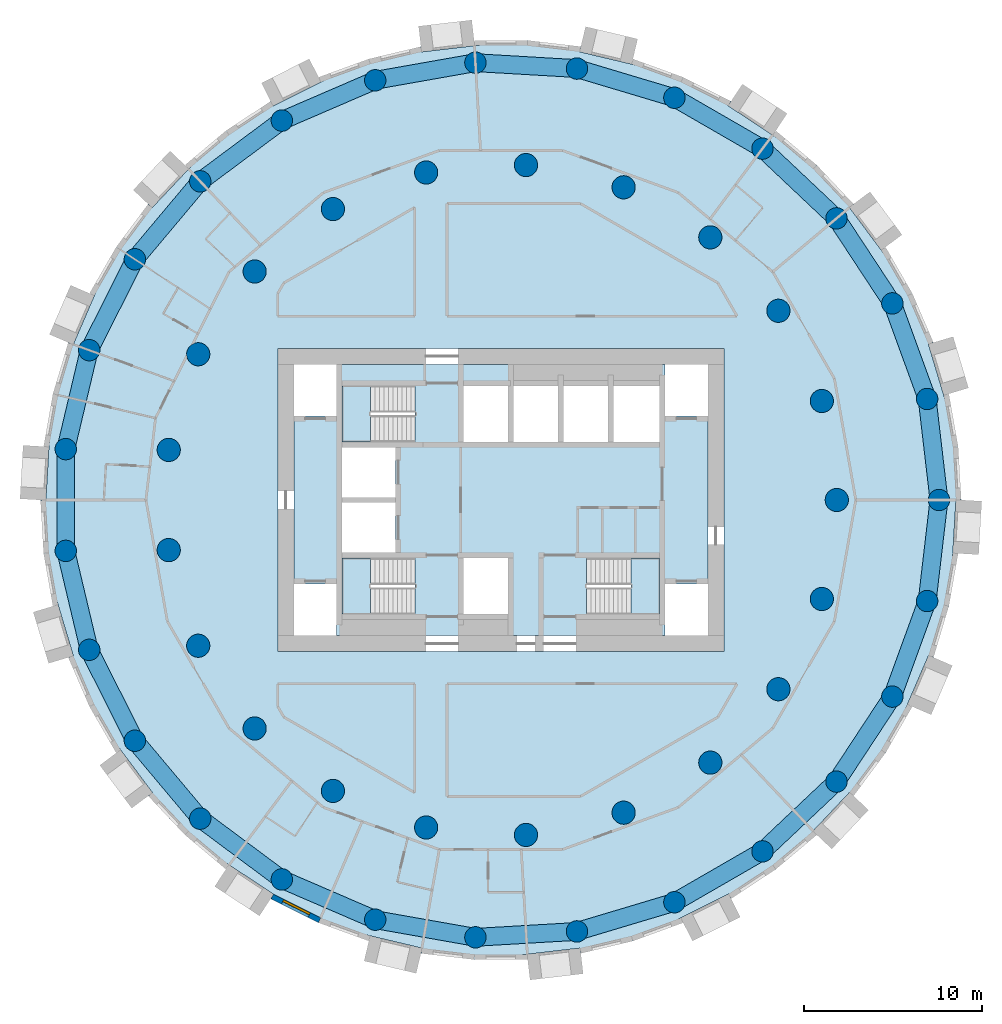
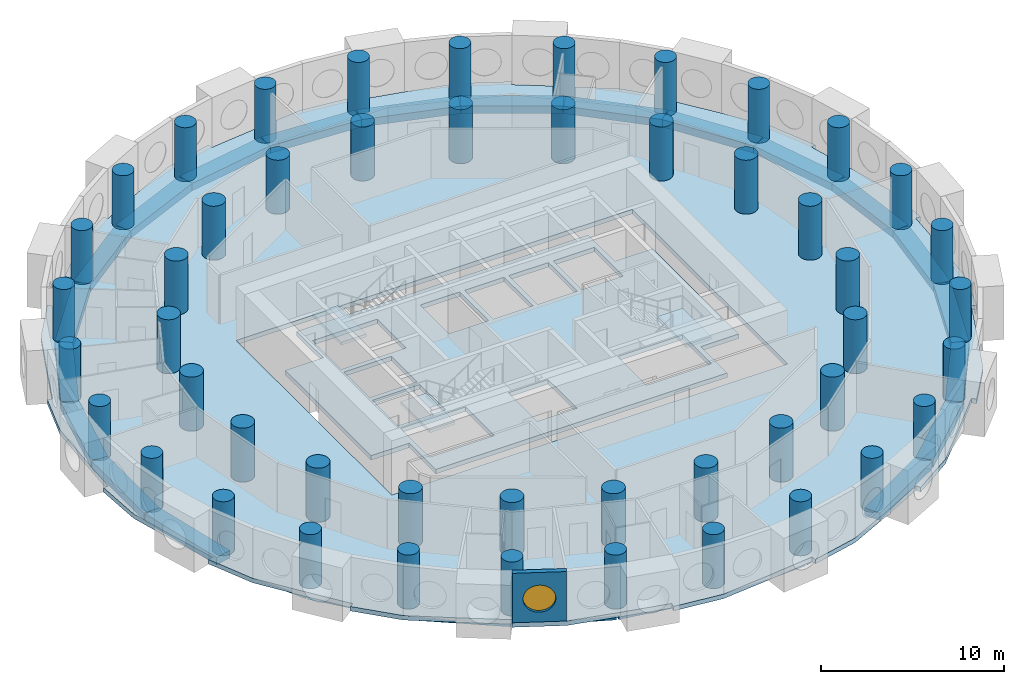
# One storey, part 1 of 9: 48 columns, 27 beams, 5 slabs, 1 wall, 1 window, 1 opening, 3 elements without a shape of their own.
"""IFC4 building model written with IfcOpenShell, lengths in metres."""

from ifc_helpers import new_model, si_unit, direction, frame, frame_2d, origin, origin_2d, place, context, subcontext, project, spatial, polyline, rectangle, circle, outline, extrude, material, layer, layer_set, material_profile, profile_set, type_object, element, fill, aggregate, save


model = new_model("IFC4")

# Units and contexts
model_context = context("Model", 3, precision=1e-05, world=origin(), true_north=direction((0.0, 1.0)))
body_context = subcontext(model_context, "Body", "Model", "MODEL_VIEW")
ifc_project = project(units=[si_unit("LENGTHUNIT", "METRE"), si_unit("AREAUNIT", "SQUARE_METRE"), si_unit("VOLUMEUNIT", "CUBIC_METRE"), si_unit("PLANEANGLEUNIT", "RADIAN"), si_unit("MASSUNIT", "GRAM", prefix="KILO")], contexts=[model_context])

# Site, building, storey
site_placement = place(None, origin())
site = spatial("IfcSite", under=ifc_project, at=site_placement, CompositionType="ELEMENT")
building_placement = place(site_placement, origin())
building = spatial("IfcBuilding", under=site, at=building_placement, Name="Tracery Tower", CompositionType="ELEMENT")
storey_placement = place(building_placement, frame((0.0, 0.0, 183.60009765625)))
storey = spatial("IfcBuildingStorey", under=building, at=storey_placement, Name="L47", CompositionType="ELEMENT", Elevation=183.60009765625)

# Columns
ifc_material_1 = material(Name="Concrete C50/60", Category="concrete")
ifc_material_profile_1 = material_profile(ifc_material_1, circle(Radius=0.60009765625, at=origin_2d()), Name="RC D1200")
ifc_profile_set_1 = profile_set([ifc_material_profile_1], Name="Concrete C50/60")
column_type_1 = type_object("IfcColumnType", Name="Ring 1 column 1200", PredefinedType="COLUMN", material=ifc_profile_set_1)
for number, where, z_axis, x_axis, name in (
    (1, (24.547607421875, 0.0, 0.0), (0.0, 0.0, 1.0), (1.0, 0.0, 0.0), "Ring 1 column 00 at L47"),
    (2, (23.885986328125, 5.6611328125, 0.0), (0.0, 0.0, 1.0), (1.0, 0.0, 0.0), "Ring 1 column 01 at L47"),
    (3, (21.9365234375, 11.01708984375, 0.0), (0.0, 0.0, 1.0), (1.0, 0.0, 0.0), "Ring 1 column 02 at L47"),
    (4, (18.8046875, 15.779052734375, 0.0), (0.0, 0.0, 1.0), (1.0, 0.0, 0.0), "Ring 1 column 03 at L47"),
    (5, (14.658935546875, 19.690185546875, 0.0), (0.0, 0.0, 1.0), (1.0, 0.0, 0.0), "Ring 1 column 04 at L47"),
    (6, (9.722900390625, 22.5400390625, 0.0), (0.0, 0.0, 1.0), (1.0, 0.0, 0.0), "Ring 1 column 05 at L47"),
    (7, (4.2626953125, 24.1748046875, 0.0), (0.0, 0.0, 1.0), (1.0, 0.0, 0.0), "Ring 1 column 06 at L47"),
    (8, (-1.42724609375, 24.506103515625, 0.0), (0.0, 0.0, 1.0), (1.0, 0.0, 0.0), "Ring 1 column 07 at L47"),
    (9, (-7.040283203125, 23.516357421875, 0.0), (0.0, 0.0, 1.0), (1.0, 0.0, 0.0), "Ring 1 column 08 at L47"),
    (10, (-12.273681640625, 21.2587890625, 0.0), (0.0, 0.0, 1.0), (1.0, 0.0, 0.0), "Ring 1 column 09 at L47"),
    (11, (-16.845703125, 17.855224609375, 0.0), (0.0, 0.0, 1.0), (1.0, 0.0, 0.0), "Ring 1 column 10 at L47"),
    (12, (-20.50927734375, 13.4892578125, 0.0), (0.0, 0.0, 1.0), (1.0, 0.0, 0.0), "Ring 1 column 11 at L47"),
    (13, (-23.0673828125, 8.395751953125, 0.0), (0.0, 0.0, 1.0), (1.0, 0.0, 0.0), "Ring 1 column 12 at L47"),
    (14, (-24.381591796875, 2.849853515625, 0.0), (0.0, 0.0, 1.0), (1.0, 0.0, 0.0), "Ring 1 column 13 at L47"),
    (15, (-24.381591796875, -2.849853515625, 0.0), (0.0, 0.0, 1.0), (1.0, 0.0, 0.0), "Ring 1 column 14 at L47"),
    (16, (-23.0673828125, -8.395751953125, 0.0), (0.0, 0.0, 1.0), (1.0, 0.0, 0.0), "Ring 1 column 15 at L47"),
    (17, (-20.50927734375, -13.4892578125, 0.0), (0.0, 0.0, 1.0), (1.0, 0.0, 0.0), "Ring 1 column 16 at L47"),
    (18, (-16.845703125, -17.85546875, 0.0), (0.0, 0.0, 1.0), (1.0, 0.0, 0.0), "Ring 1 column 17 at L47"),
    (19, (-12.27392578125, -21.2587890625, 0.0), (0.0, 0.0, 1.0), (1.0, 0.0, 0.0), "Ring 1 column 18 at L47"),
    (20, (-7.040283203125, -23.516357421875, 0.0), (0.0, 0.0, 1.0), (1.0, 0.0, 0.0), "Ring 1 column 19 at L47"),
    (21, (-1.42724609375, -24.506103515625, 0.0), (0.0, 0.0, 1.0), (1.0, 0.0, 0.0), "Ring 1 column 20 at L47"),
    (22, (4.2626953125, -24.1748046875, 0.0), (0.0, 0.0, 1.0), (1.0, 0.0, 0.0), "Ring 1 column 21 at L47"),
    (23, (9.722900390625, -22.5400390625, 0.0), (0.0, 0.0, 1.0), (1.0, 0.0, 0.0), "Ring 1 column 22 at L47"),
    (24, (14.658935546875, -19.690185546875, 0.0), (0.0, 0.0, 1.0), (1.0, 0.0, 0.0), "Ring 1 column 23 at L47"),
    (25, (18.8046875, -15.779052734375, 0.0), (0.0, 0.0, 1.0), (1.0, 0.0, 0.0), "Ring 1 column 24 at L47"),
    (26, (21.9365234375, -11.01708984375, 0.0), (0.0, 0.0, 1.0), (1.0, 0.0, 0.0), "Ring 1 column 25 at L47"),
    (27, (23.885986328125, -5.6611328125, 0.0), (0.0, 0.0, 1.0), (1.0, 0.0, 0.0), "Ring 1 column 26 at L47"),
):
    element("IfcColumn", number, at=place(storey_placement, frame(where, z_axis=z_axis, x_axis=x_axis)), inside=storey, type_object=column_type_1, Name=name, PredefinedType="COLUMN", context=body_context, shape_type="SweptSolid", body=[
        extrude(circle(Radius=0.60009765625, at=origin_2d()), origin(), (0.0, 0.0, 1.0), 3.599853515625),
    ])
ifc_material_2 = material(Name="Concrete C50/60", Category="concrete")
ifc_material_profile_2 = material_profile(ifc_material_2, circle(Radius=0.64990234375, at=origin_2d()), Name="RC D1300")
ifc_profile_set_2 = profile_set([ifc_material_profile_2], Name="Concrete C50/60")
column_type_2 = type_object("IfcColumnType", Name="Ring 2 column 1300", PredefinedType="COLUMN", material=ifc_profile_set_2)
for number, where, z_axis, x_axis, name in (
    (28, (18.822265625, 0.0, 0.0), (0.0, 0.0, 1.0), (1.0, 0.0, 0.0), "Ring 2 column 00 at L47"),
    (29, (17.986083984375, 5.5478515625, 0.0), (0.0, 0.0, 1.0), (1.0, 0.0, 0.0), "Ring 2 column 01 at L47"),
    (30, (15.551513671875, 10.602783203125, 0.0), (0.0, 0.0, 1.0), (1.0, 0.0, 0.0), "Ring 2 column 02 at L47"),
    (31, (11.7353515625, 14.7158203125, 0.0), (0.0, 0.0, 1.0), (1.0, 0.0, 0.0), "Ring 2 column 03 at L47"),
    (32, (6.87646484375, 17.52099609375, 0.0), (0.0, 0.0, 1.0), (1.0, 0.0, 0.0), "Ring 2 column 04 at L47"),
    (33, (1.406494140625, 18.76953125, 0.0), (0.0, 0.0, 1.0), (1.0, 0.0, 0.0), "Ring 2 column 05 at L47"),
    (34, (-4.188232421875, 18.350341796875, 0.0), (0.0, 0.0, 1.0), (1.0, 0.0, 0.0), "Ring 2 column 06 at L47"),
    (35, (-9.4111328125, 16.300537109375, 0.0), (0.0, 0.0, 1.0), (1.0, 0.0, 0.0), "Ring 2 column 07 at L47"),
    (36, (-13.797607421875, 12.802490234375, 0.0), (0.0, 0.0, 1.0), (1.0, 0.0, 0.0), "Ring 2 column 08 at L47"),
    (37, (-16.958251953125, 8.16650390625, 0.0), (0.0, 0.0, 1.0), (1.0, 0.0, 0.0), "Ring 2 column 09 at L47"),
    (38, (-18.612060546875, 2.805419921875, 0.0), (0.0, 0.0, 1.0), (1.0, 0.0, 0.0), "Ring 2 column 10 at L47"),
    (39, (-18.612060546875, -2.805419921875, 0.0), (0.0, 0.0, 1.0), (1.0, 0.0, 0.0), "Ring 2 column 11 at L47"),
    (40, (-16.958251953125, -8.166748046875, 0.0), (0.0, 0.0, 1.0), (1.0, 0.0, 0.0), "Ring 2 column 12 at L47"),
    (41, (-13.797607421875, -12.80224609375, 0.0), (0.0, 0.0, 1.0), (1.0, 0.0, 0.0), "Ring 2 column 13 at L47"),
    (42, (-9.4111328125, -16.300537109375, 0.0), (0.0, 0.0, 1.0), (1.0, 0.0, 0.0), "Ring 2 column 14 at L47"),
    (43, (-4.188232421875, -18.350341796875, 0.0), (0.0, 0.0, 1.0), (1.0, 0.0, 0.0), "Ring 2 column 15 at L47"),
    (44, (1.406494140625, -18.76953125, 0.0), (0.0, 0.0, 1.0), (1.0, 0.0, 0.0), "Ring 2 column 16 at L47"),
    (45, (6.87646484375, -17.52099609375, 0.0), (0.0, 0.0, 1.0), (1.0, 0.0, 0.0), "Ring 2 column 17 at L47"),
    (46, (11.7353515625, -14.7158203125, 0.0), (0.0, 0.0, 1.0), (1.0, 0.0, 0.0), "Ring 2 column 18 at L47"),
    (47, (15.551513671875, -10.602783203125, 0.0), (0.0, 0.0, 1.0), (1.0, 0.0, 0.0), "Ring 2 column 19 at L47"),
    (48, (17.986083984375, -5.5478515625, 0.0), (0.0, 0.0, 1.0), (1.0, 0.0, 0.0), "Ring 2 column 20 at L47"),
):
    element("IfcColumn", number, at=place(storey_placement, frame(where, z_axis=z_axis, x_axis=x_axis)), inside=storey, type_object=column_type_2, Name=name, PredefinedType="COLUMN", context=body_context, shape_type="SweptSolid", body=[
        extrude(circle(Radius=0.64990234375, at=origin_2d()), origin(), (0.0, 0.0, 1.0), 3.599853515625),
    ])

# Beams
ifc_material_3 = material(Name="Concrete C50/60", Category="concrete")
ifc_material_profile_3 = material_profile(ifc_material_3, rectangle(XDim=1.0, YDim=0.5, at=origin_2d()), Name="RC 1000x500")
ifc_profile_set_3 = profile_set([ifc_material_profile_3], Name="Concrete C50/60")
beam_type = type_object("IfcBeamType", Name="Perimeter band beam 1000x500", PredefinedType="BEAM", material=ifc_profile_set_3)
for number, where, z_axis, x_axis, name in (
    (49, (24.547607421875, 0.0, -0.550048828125), (-0.116080723252, 0.993239782575, 0.0), (-0.993239782575, -0.116080723252, 0.0), "Perimeter beam 1.00 under L47"),
    (50, (23.885986328125, 5.6611328125, -0.550048828125), (-0.342028502279, 0.939689578334, 0.0), (-0.939689578334, -0.342028502279, 0.0), "Perimeter beam 1.01 under L47"),
):
    element("IfcBeam", number, at=place(storey_placement, frame(where, z_axis=z_axis, x_axis=x_axis)), inside=storey, type_object=beam_type, Name=name, PredefinedType="BEAM", context=body_context, shape_type="SweptSolid", body=[
        extrude(rectangle(XDim=1.0, YDim=0.5, at=origin_2d()), origin(), (0.0, 0.0, 1.0), 5.69970703125),
    ])
for number, where, z_axis, x_axis, name in (
    (51, (21.9365234375, 11.01708984375, -0.550048828125), (-0.549489832182, 0.835500403548, 0.0), (-0.835500403548, -0.549489832182, 0.0), "Perimeter beam 1.02 under L47"),
    (52, (18.8046875, 15.779052734375, -0.550048828125), (-0.727389618263, 0.686224703172, 0.0), (-0.686224703172, -0.727389618263, 0.0), "Perimeter beam 1.03 under L47"),
):
    element("IfcBeam", number, at=place(storey_placement, frame(where, z_axis=z_axis, x_axis=x_axis)), inside=storey, type_object=beam_type, Name=name, PredefinedType="BEAM", context=body_context, shape_type="SweptSolid", body=[
        extrude(rectangle(XDim=1.0, YDim=0.5, at=origin_2d()), origin(), (0.0, 0.0, 1.0), 5.699462890625),
    ])
for number, where, z_axis, x_axis, name in (
    (53, (14.658935546875, 19.690185546875, -0.550048828125), (-0.866022950691, 0.500004248858, 0.0), (-0.500004248858, -0.866022950691, 0.0), "Perimeter beam 1.04 under L47"),
    (54, (9.722900390625, 22.5400390625, -0.550048828125), (-0.957985292634, 0.28681732705, 0.0), (-0.28681732705, -0.957985292634, 0.0), "Perimeter beam 1.05 under L47"),
):
    element("IfcBeam", number, at=place(storey_placement, frame(where, z_axis=z_axis, x_axis=x_axis)), inside=storey, type_object=beam_type, Name=name, PredefinedType="BEAM", context=body_context, shape_type="SweptSolid", body=[
        extrude(rectangle(XDim=1.0, YDim=0.5, at=origin_2d()), origin(), (0.0, 0.0, 1.0), 5.69970703125),
    ])
beam_1_placement = place(storey_placement, frame((4.2626953125, 24.1748046875, -0.550048828125), z_axis=(-0.99830920221, 0.058126902403, 0.0), x_axis=(-0.058126902403, -0.99830920221, 0.0)))
element("IfcBeam", 55, at=beam_1_placement, inside=storey, type_object=beam_type, Name="Perimeter beam 1.06 under L47", PredefinedType="BEAM", context=body_context, shape_type="SweptSolid", body=[
    extrude(rectangle(XDim=1.0, YDim=0.5, at=origin_2d()), origin(), (0.0, 0.0, 1.0), 5.699462890625),
])
beam_2_placement = place(storey_placement, frame((-1.42724609375, 24.506103515625, -0.550048828125), z_axis=(-0.984807266719, -0.173650935552, 0.0), x_axis=(0.173650935552, -0.984807266719, 0.0)))
element("IfcBeam", 56, at=beam_2_placement, inside=storey, type_object=beam_type, Name="Perimeter beam 1.07 under L47", PredefinedType="BEAM", context=body_context, shape_type="SweptSolid", body=[
    extrude(rectangle(XDim=1.0, YDim=0.5, at=origin_2d()), origin(), (0.0, 0.0, 1.0), 5.69970703125),
])
beam_3_placement = place(storey_placement, frame((-7.040283203125, 23.516357421875, -0.550048828125), z_axis=(-0.918209685525, -0.396094652083, 0.0), x_axis=(0.396094652083, -0.918209685525, 0.0)))
element("IfcBeam", 57, at=beam_3_placement, inside=storey, type_object=beam_type, Name="Perimeter beam 1.08 under L47", PredefinedType="BEAM", context=body_context, shape_type="SweptSolid", body=[
    extrude(rectangle(XDim=1.0, YDim=0.5, at=origin_2d()), origin(), (0.0, 0.0, 1.0), 5.699462890625),
])
beam_4_placement = place(storey_placement, frame((-12.273681640625, 21.2587890625, -0.550048828125), z_axis=(-0.802138271299, -0.59713833717, 0.0), x_axis=(0.59713833717, -0.802138271299, 0.0)))
element("IfcBeam", 58, at=beam_4_placement, inside=storey, type_object=beam_type, Name="Perimeter beam 1.09 under L47", PredefinedType="BEAM", context=body_context, shape_type="SweptSolid", body=[
    extrude(rectangle(XDim=1.0, YDim=0.5, at=origin_2d()), origin(), (0.0, 0.0, 1.0), 5.69970703125),
])
beam_5_placement = place(storey_placement, frame((-16.845703125, 17.855224609375, -0.550048828125), z_axis=(-0.642797194343, -0.766036400535, 0.0), x_axis=(0.766036400535, -0.642797194343, 0.0)))
element("IfcBeam", 59, at=beam_5_placement, inside=storey, type_object=beam_type, Name="Perimeter beam 1.10 under L47", PredefinedType="BEAM", context=body_context, shape_type="SweptSolid", body=[
    extrude(rectangle(XDim=1.0, YDim=0.5, at=origin_2d()), origin(), (0.0, 0.0, 1.0), 5.699462890625),
])
beam_6_placement = place(storey_placement, frame((-20.50927734375, 13.4892578125, -0.550048828125), z_axis=(-0.448806280933, -0.893629074166, 0.0), x_axis=(0.893629074166, -0.448806280933, 0.0)))
element("IfcBeam", 60, at=beam_6_placement, inside=storey, type_object=beam_type, Name="Perimeter beam 1.11 under L47", PredefinedType="BEAM", context=body_context, shape_type="SweptSolid", body=[
    extrude(rectangle(XDim=1.0, YDim=0.5, at=origin_2d()), origin(), (0.0, 0.0, 1.0), 5.69970703125),
])
beam_7_placement = place(storey_placement, frame((-23.0673828125, 8.395751953125, -0.550048828125), z_axis=(-0.230583793756, -0.973052472407, 0.0), x_axis=(0.973052472407, -0.230583793756, 0.0)))
element("IfcBeam", 61, at=beam_7_placement, inside=storey, type_object=beam_type, Name="Perimeter beam 1.12 under L47", PredefinedType="BEAM", context=body_context, shape_type="SweptSolid", body=[
    extrude(rectangle(XDim=1.0, YDim=0.5, at=origin_2d()), origin(), (0.0, 0.0, 1.0), 5.699462890625),
])
beam_8_placement = place(storey_placement, frame((-24.381591796875, 2.849853515625, -0.550048828125), z_axis=(0.0, -1.0, 0.0), x_axis=(1.0, 0.0, 0.0)))
element("IfcBeam", 62, at=beam_8_placement, inside=storey, type_object=beam_type, Name="Perimeter beam 1.13 under L47", PredefinedType="BEAM", context=body_context, shape_type="SweptSolid", body=[
    extrude(rectangle(XDim=1.0, YDim=0.5, at=origin_2d()), origin(), (0.0, 0.0, 1.0), 5.69970703125),
])
beam_9_placement = place(storey_placement, frame((-24.381591796875, -2.849853515625, -0.550048828125), z_axis=(0.230583793756, -0.973052472407, 0.0), x_axis=(0.973052472407, 0.230583793756, 0.0)))
element("IfcBeam", 63, at=beam_9_placement, inside=storey, type_object=beam_type, Name="Perimeter beam 1.14 under L47", PredefinedType="BEAM", context=body_context, shape_type="SweptSolid", body=[
    extrude(rectangle(XDim=1.0, YDim=0.5, at=origin_2d()), origin(), (0.0, 0.0, 1.0), 5.699462890625),
])
for number, where, z_axis, x_axis, name in (
    (64, (-23.0673828125, -8.395751953125, -0.550048828125), (0.448806280933, -0.893629074166, 0.0), (0.893629074166, 0.448806280933, 0.0), "Perimeter beam 1.15 under L47"),
    (65, (-20.50927734375, -13.4892578125, -0.550048828125), (0.64277610208, -0.766054099, 0.0), (0.766054099, 0.64277610208, 0.0), "Perimeter beam 1.16 under L47"),
):
    element("IfcBeam", number, at=place(storey_placement, frame(where, z_axis=z_axis, x_axis=x_axis)), inside=storey, type_object=beam_type, Name=name, PredefinedType="BEAM", context=body_context, shape_type="SweptSolid", body=[
        extrude(rectangle(XDim=1.0, YDim=0.5, at=origin_2d()), origin(), (0.0, 0.0, 1.0), 5.69970703125),
    ])
beam_10_placement = place(storey_placement, frame((-16.845703125, -17.85546875, -0.550048828125), z_axis=(0.802143514942, -0.597131293298, 0.0), x_axis=(0.597131293298, 0.802143514942, 0.0)))
element("IfcBeam", 66, at=beam_10_placement, inside=storey, type_object=beam_type, Name="Perimeter beam 1.17 under L47", PredefinedType="BEAM", context=body_context, shape_type="SweptSolid", body=[
    extrude(rectangle(XDim=1.0, YDim=0.5, at=origin_2d()), origin(), (0.0, 0.0, 1.0), 5.699462890625),
])
for number, where, z_axis, x_axis, name in (
    (67, (-12.27392578125, -21.2587890625, -0.550048828125), (0.918216405543, -0.39607907366, 0.0), (0.39607907366, 0.918216405543, 0.0), "Perimeter beam 1.18 under L47"),
    (68, (-7.040283203125, -23.516357421875, -0.550048828125), (0.984807266719, -0.173650935552, 0.0), (0.173650935552, 0.984807266719, 0.0), "Perimeter beam 1.19 under L47"),
):
    element("IfcBeam", number, at=place(storey_placement, frame(where, z_axis=z_axis, x_axis=x_axis)), inside=storey, type_object=beam_type, Name=name, PredefinedType="BEAM", context=body_context, shape_type="SweptSolid", body=[
        extrude(rectangle(XDim=1.0, YDim=0.5, at=origin_2d()), origin(), (0.0, 0.0, 1.0), 5.69970703125),
    ])
beam_11_placement = place(storey_placement, frame((-1.42724609375, -24.506103515625, -0.550048828125), z_axis=(0.99830920221, 0.058126902403, 0.0), x_axis=(-0.058126902403, 0.99830920221, 0.0)))
element("IfcBeam", 69, at=beam_11_placement, inside=storey, type_object=beam_type, Name="Perimeter beam 1.20 under L47", PredefinedType="BEAM", context=body_context, shape_type="SweptSolid", body=[
    extrude(rectangle(XDim=1.0, YDim=0.5, at=origin_2d()), origin(), (0.0, 0.0, 1.0), 5.699462890625),
])
for number, where, z_axis, x_axis, name in (
    (70, (4.2626953125, -24.1748046875, -0.550048828125), (0.957985292634, 0.28681732705, 0.0), (-0.28681732705, 0.957985292634, 0.0), "Perimeter beam 1.21 under L47"),
    (71, (9.722900390625, -22.5400390625, -0.550048828125), (0.866022950691, 0.500004248858, 0.0), (-0.500004248858, 0.866022950691, 0.0), "Perimeter beam 1.22 under L47"),
):
    element("IfcBeam", number, at=place(storey_placement, frame(where, z_axis=z_axis, x_axis=x_axis)), inside=storey, type_object=beam_type, Name=name, PredefinedType="BEAM", context=body_context, shape_type="SweptSolid", body=[
        extrude(rectangle(XDim=1.0, YDim=0.5, at=origin_2d()), origin(), (0.0, 0.0, 1.0), 5.69970703125),
    ])
for number, where, z_axis, x_axis, name in (
    (72, (14.658935546875, -19.690185546875, -0.550048828125), (0.727389618263, 0.686224703172, 0.0), (-0.686224703172, 0.727389618263, 0.0), "Perimeter beam 1.23 under L47"),
    (73, (18.8046875, -15.779052734375, -0.550048828125), (0.549489832182, 0.835500403548, 0.0), (-0.835500403548, 0.549489832182, 0.0), "Perimeter beam 1.24 under L47"),
):
    element("IfcBeam", number, at=place(storey_placement, frame(where, z_axis=z_axis, x_axis=x_axis)), inside=storey, type_object=beam_type, Name=name, PredefinedType="BEAM", context=body_context, shape_type="SweptSolid", body=[
        extrude(rectangle(XDim=1.0, YDim=0.5, at=origin_2d()), origin(), (0.0, 0.0, 1.0), 5.699462890625),
    ])
for number, where, z_axis, x_axis, name in (
    (74, (21.9365234375, -11.01708984375, -0.550048828125), (0.342028502279, 0.939689578334, 0.0), (-0.939689578334, 0.342028502279, 0.0), "Perimeter beam 1.25 under L47"),
    (75, (23.885986328125, -5.6611328125, -0.550048828125), (0.116080723252, 0.993239782575, 0.0), (-0.993239782575, 0.116080723252, 0.0), "Perimeter beam 1.26 under L47"),
):
    element("IfcBeam", number, at=place(storey_placement, frame(where, z_axis=z_axis, x_axis=x_axis)), inside=storey, type_object=beam_type, Name=name, PredefinedType="BEAM", context=body_context, shape_type="SweptSolid", body=[
        extrude(rectangle(XDim=1.0, YDim=0.5, at=origin_2d()), origin(), (0.0, 0.0, 1.0), 5.69970703125),
    ])

# Slabs
ifc_material_4 = material(Name="Concrete C50/60", Category="concrete")
ifc_layer_1 = layer(ifc_material_4, 0.300048828125)
ifc_layer_set_1 = layer_set([ifc_layer_1], Name="Core floor slab 300 C50")
slab_type_1 = type_object("IfcSlabType", Name="Core floor slab 300 C50", PredefinedType="FLOOR", material=ifc_layer_set_1)
slab_1_placement = place(storey_placement, frame((0.0, 0.0, -0.300048828125)))
element("IfcSlab", 76, at=slab_1_placement, inside=storey, type_object=slab_type_1, Name="L47 core floor 1", PredefinedType="FLOOR", context=body_context, shape_type="SweptSolid", body=[
    extrude(outline(polyline([(-9.199951171875, 7.60009765625), (9.199951171875, 7.60009765625), (9.199951171875, 4.699951171875), (11.60009765625, 4.699951171875), (11.60009765625, -4.699951171875), (9.199951171875, -4.699951171875), (9.199951171875, -7.60009765625), (-9.199951171875, -7.60009765625), (-9.199951171875, -4.699951171875), (-11.60009765625, -4.699951171875), (-11.60009765625, 4.699951171875), (-9.199951171875, 4.699951171875), (-9.199951171875, 7.60009765625)]), holes=[polyline([(4.800537109375, -6.39990234375), (8.89990234375, -6.39990234375), (8.89990234375, -3.25), (4.800537109375, -3.25), (4.800537109375, -6.39990234375)]), polyline([(8.89990234375, 3.25), (8.89990234375, 6.39990234375), (6.300048828125, 6.39990234375), (6.300048828125, 3.25), (8.89990234375, 3.25)]), polyline([(6.0, 3.25), (6.0, 6.39990234375), (3.5, 6.39990234375), (3.5, 3.25), (6.0, 3.25)]), polyline([(3.199951171875, 3.25), (3.199951171875, 6.39990234375), (0.699951171875, 6.39990234375), (0.699951171875, 3.25), (3.199951171875, 3.25)]), polyline([(-2.10009765625, 3.25), (0.39990234375, 3.25), (0.39990234375, 6.39990234375), (-2.10009765625, 6.39990234375), (-2.10009765625, 3.25)]), polyline([(0.39990234375, -6.39990234375), (0.39990234375, -3.25), (-2.10009765625, -3.25), (-2.10009765625, -6.39990234375), (0.39990234375, -6.39990234375)]), polyline([(-4.800537109375, -3.25), (-8.89990234375, -3.25), (-8.89990234375, -6.39990234375), (-4.800537109375, -6.39990234375), (-4.800537109375, -3.25)]), polyline([(-4.800537109375, 6.39990234375), (-8.89990234375, 6.39990234375), (-8.89990234375, 3.25), (-4.800537109375, 3.25), (-4.800537109375, 6.39990234375)]), polyline([(-5.89990234375, -2.949951171875), (-5.89990234375, -0.14990234375), (-8.89990234375, -0.14990234375), (-8.89990234375, -2.949951171875), (-5.89990234375, -2.949951171875)]), polyline([(-5.89990234375, 0.14990234375), (-5.89990234375, 2.949951171875), (-8.89990234375, 2.949951171875), (-8.89990234375, 0.14990234375), (-5.89990234375, 0.14990234375)])]), origin(), (0.0, 0.0, 1.0), 0.300048828125),
])
ifc_material_5 = material(Name="Concrete C40/50", Category="concrete")
ifc_layer_2 = layer(ifc_material_5, 0.300048828125)
ifc_layer_set_2 = layer_set([ifc_layer_2], Name="Floor slab 300")
slab_type_2 = type_object("IfcSlabType", Name="Floor slab 300", PredefinedType="FLOOR", material=ifc_layer_set_2)
slab_2_placement = place(storey_placement, frame((0.0, 0.0, -0.300048828125)))
element("IfcSlab", 77, at=slab_2_placement, inside=storey, type_object=slab_type_2, Name="Floor slab L47", PredefinedType="FLOOR", context=body_context, shape_type="SweptSolid", body=[
    extrude(outline(polyline([(24.809814453125, 5.8798828125), (24.694580078125, 6.265380859375), (23.95947265625, 8.720703125), (23.95947265625, 8.720703125), (23.95458984375, 8.7373046875), (24.241943359375, 8.8232421875), (23.0537109375, 11.577880859375), (21.302490234375, 14.010986328125), (20.657958984375, 14.876953125), (19.521484375, 16.4033203125), (19.76220703125, 16.58251953125), (17.70361328125, 18.7646484375), (15.227294921875, 20.450927734375), (13.4443359375, 21.623779296875), (12.74853515625, 22.081298828125), (12.74853515625, 22.081298828125), (12.73388671875, 22.0908203125), (12.89892578125, 22.341552734375), (10.218017578125, 23.68798828125), (7.312744140625, 24.426025390625), (4.427490234375, 25.10986328125), (4.427490234375, 25.10986328125), (4.410400390625, 25.114013671875), (4.4794921875, 25.4052734375), (4.479736328125, 25.40576171875), (1.5, 25.754150390625), (-1.47998046875, 25.454345703125), (-3.055908203125, 25.27001953125), (-4.427490234375, 25.10986328125), (-4.427490234375, 25.10986328125), (-4.44482421875, 25.10791015625), (-4.479736328125, 25.40576171875), (-7.39892578125, 24.7138671875), (-10.098876953125, 23.411865234375), (-12.74853515625, 22.081298828125), (-12.74853515625, 22.081298828125), (-12.76416015625, 22.073486328125), (-12.89892578125, 22.341552734375), (-15.4052734375, 20.69287109375), (-17.497314453125, 18.5458984375), (-18.208740234375, 17.791748046875), (-19.5439453125, 16.376708984375), (-19.76171875, 16.581787109375), (-19.76220703125, 16.58251953125), (-21.5537109375, 14.176025390625), (-22.78515625, 11.443115234375), (-23.95947265625, 8.720703125), (-23.95947265625, 8.720703125), (-23.96630859375, 8.70458984375), (-24.241455078125, 8.822998046875), (-24.241943359375, 8.8232421875), (-25.102294921875, 5.949462890625), (-25.32470703125, 2.96044921875), (-25.498291015625, -0.017333984375), (-25.797607421875, 0.0), (-25.797607421875, 0.0), (-25.623291015625, -2.994873046875), (-24.809814453125, -5.8798828125), (-24.694580078125, -6.265380859375), (-23.95947265625, -8.720703125), (-23.95947265625, -8.720703125), (-23.95458984375, -8.7373046875), (-24.241943359375, -8.8232421875), (-23.0537109375, -11.577880859375), (-21.302490234375, -14.010986328125), (-20.657958984375, -14.876953125), (-19.521484375, -16.4033203125), (-19.76220703125, -16.58251953125), (-17.70361328125, -18.7646484375), (-15.227294921875, -20.450927734375), (-13.4443359375, -21.623779296875), (-12.74853515625, -22.081298828125), (-12.74853515625, -22.081298828125), (-12.73388671875, -22.0908203125), (-12.89892578125, -22.341552734375), (-10.218017578125, -23.68798828125), (-7.312744140625, -24.426025390625), (-4.427490234375, -25.10986328125), (-4.427490234375, -25.10986328125), (-4.410400390625, -25.114013671875), (-4.4794921875, -25.4052734375), (-4.479736328125, -25.40576171875), (-1.5, -25.754150390625), (1.47998046875, -25.454345703125), (3.055908203125, -25.27001953125), (4.427490234375, -25.10986328125), (4.427490234375, -25.10986328125), (4.44482421875, -25.10791015625), (4.479736328125, -25.40576171875), (7.39892578125, -24.7138671875), (10.098876953125, -23.411865234375), (12.74853515625, -22.081298828125), (12.74853515625, -22.081298828125), (12.76416015625, -22.073486328125), (12.898681640625, -22.341064453125), (12.89892578125, -22.341552734375), (15.4052734375, -20.69287109375), (17.497314453125, -18.5458984375), (18.208740234375, -17.791748046875), (19.5439453125, -16.376708984375), (19.76171875, -16.581787109375), (19.76220703125, -16.58251953125), (21.5537109375, -14.176025390625), (22.78515625, -11.443115234375), (23.95947265625, -8.720703125), (23.95947265625, -8.720703125), (23.96630859375, -8.70458984375), (24.241455078125, -8.822998046875), (24.241943359375, -8.8232421875), (25.102294921875, -5.949462890625), (25.32470703125, -2.96044921875), (25.498291015625, 0.017333984375), (25.797607421875, 0.0), (25.623291015625, 2.994873046875), (24.809814453125, 5.8798828125)]), holes=[polyline([(-12.5, -8.5), (12.5, -8.5), (12.5, 8.5), (-12.5, 8.5), (-12.5, -8.5)])]), origin(), (0.0, 0.0, 1.0), 0.300048828125),
])

# Stair, slab
ifc_material_6 = material(Name="Concrete C32/40", Category="concrete")
stair_type = type_object("IfcStairType", Name="Core stair 22 risers", PredefinedType="HALF_TURN_STAIR", material=ifc_material_6)
stair_1_placement = place(storey_placement, origin())
stair_1 = element("IfcStair", 78, at=stair_1_placement, inside=storey, type_object=stair_type, Name="L47 stair ST1", PredefinedType="HALF_TURN_STAIR")
ifc_material_7 = material(Name="Concrete C32/40", Category="concrete")
ifc_layer_3 = layer(ifc_material_7, 0.199951171875)
ifc_layer_set_3 = layer_set([ifc_layer_3], Name="Stair landing slab 200")
slab_type_3 = type_object("IfcSlabType", Name="Stair landing slab 200", PredefinedType="LANDING", material=ifc_layer_set_3)
slab_3_placement = place(storey_placement, frame((0.0, 0.0, 1.599853515625)))
slab_3 = element("IfcSlab", 79, at=slab_3_placement, type_object=slab_type_3, Name="ST1 landing 1", PredefinedType="LANDING", context=body_context, shape_type="SweptSolid", body=[
    extrude(outline(polyline([(-7.29931640625, -3.25), (-8.89990234375, -3.25), (-8.89990234375, -6.39990234375), (-7.29931640625, -6.39990234375), (-7.29931640625, -3.25)])), origin(), (0.0, 0.0, 1.0), 0.199951171875),
])
aggregate(stair_1, [slab_3])

stair_2_placement = place(storey_placement, origin())
stair_2 = element("IfcStair", 80, at=stair_2_placement, inside=storey, type_object=stair_type, Name="L47 stair ST3", PredefinedType="HALF_TURN_STAIR")
slab_4_placement = place(storey_placement, frame((0.0, 0.0, 1.599853515625)))
slab_4 = element("IfcSlab", 81, at=slab_4_placement, type_object=slab_type_3, Name="ST3 landing 1", PredefinedType="LANDING", context=body_context, shape_type="SweptSolid", body=[
    extrude(outline(polyline([(-7.29931640625, 6.39990234375), (-8.89990234375, 6.39990234375), (-8.89990234375, 3.25), (-7.29931640625, 3.25), (-7.29931640625, 6.39990234375)])), origin(), (0.0, 0.0, 1.0), 0.199951171875),
])
aggregate(stair_2, [slab_4])

stair_3_placement = place(storey_placement, origin())
stair_3 = element("IfcStair", 82, at=stair_3_placement, inside=storey, type_object=stair_type, Name="L47 stair ST2", PredefinedType="HALF_TURN_STAIR")
slab_5_placement = place(storey_placement, frame((0.0, 0.0, 1.599853515625)))
slab_5 = element("IfcSlab", 83, at=slab_5_placement, type_object=slab_type_3, Name="ST2 landing 1", PredefinedType="LANDING", context=body_context, shape_type="SweptSolid", body=[
    extrude(outline(polyline([(7.29931640625, -6.39990234375), (8.89990234375, -6.39990234375), (8.89990234375, -3.25), (7.29931640625, -3.25), (7.29931640625, -6.39990234375)])), origin(), (0.0, 0.0, 1.0), 0.199951171875),
])
aggregate(stair_3, [slab_5])

# Wall, opening, window
ifc_material_8 = material(Name="Precast concrete C50/60", Category="concrete")
ifc_layer_4 = layer(ifc_material_8, 0.300048828125)
ifc_layer_set_4 = layer_set([ifc_layer_4], Name="Facade panel 3000 x 3300")
wall_type = type_object("IfcWallType", Name="Facade panel 3000 x 3300", PredefinedType="SOLIDWALL", material=ifc_layer_set_4)
wall_placement = place(storey_placement, frame((-12.815185546875, -22.215576171875, 0.0), z_axis=(0.0, 0.0, 1.0), x_axis=(0.893637442555, -0.448789618045, 0.0)))
wall = element("IfcWall", 84, at=wall_placement, inside=storey, type_object=wall_type, Name="Facade panel 37 at L47", PredefinedType="SOLIDWALL", context=body_context, shape_type="SweptSolid", body=[
    extrude(rectangle(XDim=2.972900390625, YDim=0.300048828125, at=frame_2d((1.486328125, 0.0))), origin(), (0.0, 0.0, 1.0), 3.2998046875),
])
opening_placement = place(wall_placement, frame((1.486328125, 0.0, 1.5498046875)))
opening = element("IfcOpeningElement", 85, at=opening_placement, cuts=wall, Name="Opening WN1", PredefinedType="OPENING", context=body_context, shape_type="SweptSolid", body=[
    extrude(circle(Radius=0.9000244140625, at=origin_2d()), frame((0.0, 0.159912109375, 0.0), z_axis=(0.0, -1.0, 0.0), x_axis=(1.0, 0.0, 0.0)), (0.0, 0.0, 1.0), 0.320068359375),
])
ifc_material_9 = material(Name="Aluminium frame with tinted double glazing", Category="aluminium")
window_type = type_object("IfcWindowType", Name="Round window 1800", PartitioningType="SINGLE_PANEL", PredefinedType="WINDOW", material=ifc_material_9)
window_placement = place(opening_placement, origin())
window = element("IfcWindow", 86, at=window_placement, inside=storey, type_object=window_type, Name="Round window 37 at L47", OverallHeight=1.800048828125, OverallWidth=1.800048828125, PartitioningType="SINGLE_PANEL", PredefinedType="WINDOW", context=body_context, shape_type="SweptSolid", body=[
    extrude(circle(Radius=0.9000244140625, at=origin_2d()), frame((0.0, 0.1201171875, 0.0), z_axis=(0.0, -1.0, 0.0), x_axis=(1.0, 0.0, 0.0)), (0.0, 0.0, 1.0), 0.10009765625),
])
fill(opening, window)

save(model, "model.ifc")
